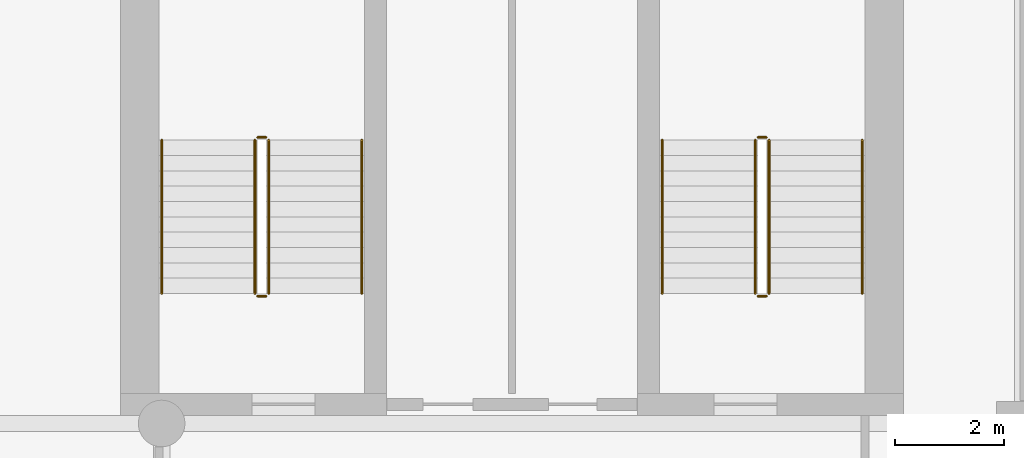
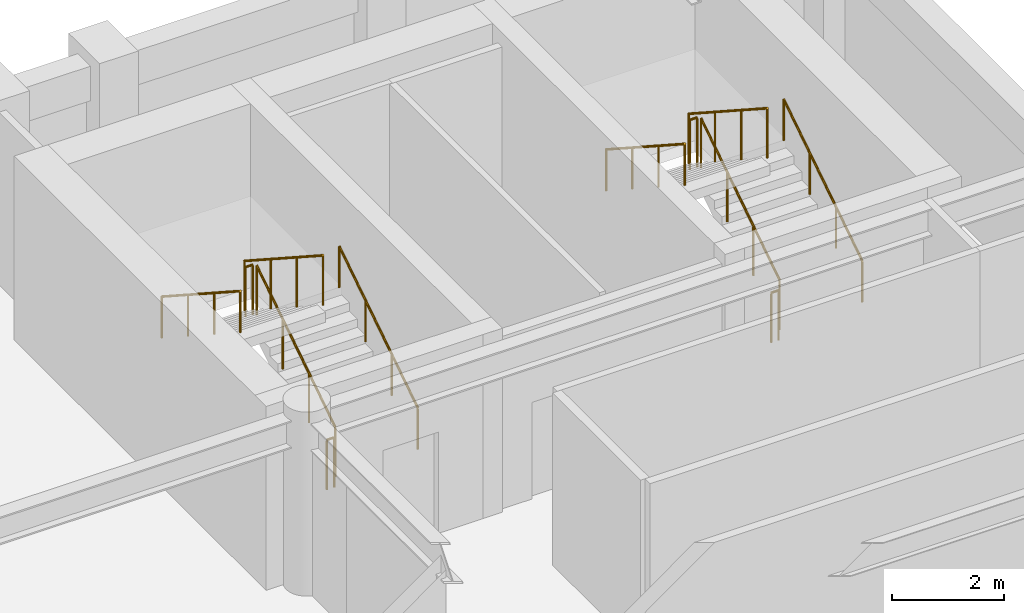
# One storey, part 10 of 10: 12 railings.
"""IFC4 building model written with IfcOpenShell, lengths in metres."""

import ifcopenshell
import ifcopenshell.guid

model = None  # the IFC model being written
_history = None  # IfcOwnerHistory: only IFC2X3 demands one
_inside = {}  # id of a spatial element -> (the spatial element, [elements in it])
_under = {}  # id of a project, library or spatial element -> (it, [spatial elements below it])
_declared = {}  # id of a project -> (the project, [libraries it declares])
_typed = {}  # id of a type object -> (the type object, [elements of that type])
_made_of = {}  # id of a material, layer set ... -> (it, [elements and type objects made of it])


def new_model(schema):
    """Start an empty IFC model of exactly this schema.

    Asked for "IFC4X3", IfcOpenShell would pick the latest addendum, in which some entities
    have other attributes; the version numbers below select the first issue.
    IFC2X3 requires an IfcOwnerHistory on every rooted entity: one is made here for all.
    """
    global model, _history
    if schema == "IFC4X3":
        model = ifcopenshell.file(schema_version=(4, 3, 0, 0))
    else:
        model = ifcopenshell.file(schema=schema)
    _inside.clear()
    _under.clear()
    _declared.clear()
    _typed.clear()
    _made_of.clear()
    _history = None
    if model.schema == "IFC2X3":
        org = make("IfcOrganization", Name="unknown")
        user = make(
            "IfcPersonAndOrganization",
            ThePerson=make("IfcPerson", FamilyName="unknown"),
            TheOrganization=org,
        )
        app = make(
            "IfcApplication",
            ApplicationDeveloper=org,
            Version="unknown",
            ApplicationFullName="unknown",
            ApplicationIdentifier="unknown",
        )
        _history = make(
            "IfcOwnerHistory",
            OwningUser=user,
            OwningApplication=app,
            ChangeAction="ADDED",
            CreationDate=0,
        )
    return model


def make(cls, **values):
    """One entity of the class cls with the attributes given. An attribute that is None is left unset."""
    return model.create_entity(
        cls, **{name: value for name, value in values.items() if value is not None}
    )


def rooted(cls, **values):
    """An entity with a GlobalId (a new one), such as an element, a storey or a relation."""
    return make(cls, GlobalId=ifcopenshell.guid.new(), OwnerHistory=_history, **values)


def si_unit(unit_type, name, prefix=None):
    """IfcSIUnit, for example si_unit("LENGTHUNIT", "METRE", prefix="MILLI")."""
    return make("IfcSIUnit", UnitType=unit_type, Prefix=prefix, Name=name)


def assignment(units):
    """IfcUnitAssignment: the units of a project."""
    return None if units is None else make("IfcUnitAssignment", Units=units)


def point(xyz):
    """IfcCartesianPoint."""
    return None if xyz is None else make("IfcCartesianPoint", Coordinates=xyz)


def direction(xyz):
    """IfcDirection."""
    return None if xyz is None else make("IfcDirection", DirectionRatios=xyz)


def frame(location, z_axis=None, x_axis=None):
    """IfcAxis2Placement3D, a coordinate frame: its origin and axes. An axis left out is left unset."""
    return make(
        "IfcAxis2Placement3D",
        Location=point(location),
        Axis=direction(z_axis),
        RefDirection=direction(x_axis),
    )


def frame_2d(location, x_axis=None):
    """IfcAxis2Placement2D, a coordinate frame in the plane: its origin and x axis."""
    return make(
        "IfcAxis2Placement2D", Location=point(location), RefDirection=direction(x_axis)
    )


def origin():
    """The frame at (0, 0, 0) with its axes left unset."""
    return frame((0.0, 0.0, 0.0))


def origin_2d():
    """The frame at (0, 0) in the plane with its x axis left unset."""
    return frame_2d((0.0, 0.0))


def place(relative_to, where):
    """IfcLocalPlacement: puts the frame where relative to a parent placement (None: the world)."""
    return make(
        "IfcLocalPlacement", PlacementRelTo=relative_to, RelativePlacement=where
    )


def context(
    kind, dimensions, precision=None, world=None, true_north=None, identifier=None
):
    """IfcGeometricRepresentationContext, for example the 3D "Model" context."""
    return make(
        "IfcGeometricRepresentationContext",
        ContextIdentifier=identifier,
        ContextType=kind,
        CoordinateSpaceDimension=dimensions,
        Precision=precision,
        WorldCoordinateSystem=world,
        TrueNorth=true_north,
    )


def subcontext(parent, identifier, kind, view, scale=None):
    """IfcGeometricRepresentationSubContext, for example "Body" below "Model"."""
    return make(
        "IfcGeometricRepresentationSubContext",
        ContextIdentifier=identifier,
        ContextType=kind,
        ParentContext=parent,
        TargetScale=scale,
        TargetView=view,
    )


def project(units=None, contexts=None):
    """IfcProject with its units and contexts."""
    return rooted(
        "IfcProject",
        Name="project",
        RepresentationContexts=contexts,
        UnitsInContext=assignment(units),
    )


def spatial(cls, under=None, at=None, **own):
    """A site, building, storey or space (cls), placed at a placement, below another one or the project."""
    s = rooted(cls, ObjectPlacement=at, **own)
    if under is not None:
        _under.setdefault(under.id(), (under, []))[1].append(s)
    return s


def profile(cls, at=None, kind="AREA", **sizes):
    """A parametric profile (cls). Its sizes go by their IFC names, for example OverallWidth=200.0."""
    return make(cls, ProfileType=kind, Position=at, **sizes)


def circle(**sizes):
    """IfcCircleProfileDef."""
    return profile("IfcCircleProfileDef", **sizes)


def extrude(swept, where, along, depth):
    """IfcExtrudedAreaSolid: the profile swept, set in the frame where, extruded along a direction by depth."""
    return make(
        "IfcExtrudedAreaSolid",
        SweptArea=swept,
        Position=where,
        ExtrudedDirection=direction(along),
        Depth=depth,
    )


def shape(context_of_items, identifier, shape_type, items):
    """IfcShapeRepresentation: the items that make up one representation, for example the "Body"."""
    return make(
        "IfcShapeRepresentation",
        ContextOfItems=context_of_items,
        RepresentationIdentifier=identifier,
        RepresentationType=shape_type,
        Items=items,
    )


def material(Name=None, Category=None):
    """IfcMaterial."""
    return make("IfcMaterial", Name=Name, Category=Category)


def made_of(thing, what):
    """Note that an element or type object is made of a material, layer set ...; save() writes the relation."""
    if what is not None:
        _made_of.setdefault(what.id(), (what, []))[1].append(thing)
    return thing


def type_object(cls, material=None, **own):
    """A type object (cls), such as IfcWallType, which elements share."""
    return made_of(rooted(cls, **own), material)


def element(
    cls,
    number,
    at=None,
    inside=None,
    cuts=None,
    type_object=None,
    material=None,
    context=None,
    identifier="Body",
    shape_type=None,
    held_by="IfcProductDefinitionShape",
    body=None,
    shapes=None,
    **own,
):
    """One element of the class cls, such as IfcWall. Its Tag is "e" and its number.

    at: its placement. inside: the storey or other place that contains it. cuts: it is an
    opening in that element (IfcRelVoidsElement). A single representation is given by context,
    identifier, shape_type and body (its items); several are given by shapes. held_by: the class
    of the entity that holds the representations. save() writes the other relations.
    """
    e = rooted(cls, Tag="e%d" % number, ObjectPlacement=at, **own)
    if body is not None:
        shapes = [shape(context, identifier, shape_type, body)]
    if shapes is not None:
        e.Representation = make(held_by, Representations=shapes)
    if inside is not None:
        _inside.setdefault(inside.id(), (inside, []))[1].append(e)
    if cuts is not None:
        rooted(
            "IfcRelVoidsElement", RelatingBuildingElement=cuts, RelatedOpeningElement=e
        )
    if type_object is not None:
        _typed.setdefault(type_object.id(), (type_object, []))[1].append(e)
    return made_of(e, material)


def aggregate(whole, parts):
    """IfcRelAggregates: a whole, such as a stair, and the parts it consists of."""
    return rooted("IfcRelAggregates", RelatingObject=whole, RelatedObjects=parts)


def save(model, path):
    """Write the relations noted so far, then the file.

    IfcRelAggregates (storeys below a building ...), IfcRelContainedInSpatialStructure (elements
    in a storey), IfcRelDefinesByType, IfcRelAssociatesMaterial and IfcRelDeclares: one each for
    every whole, place, type object, material and project.
    """
    for whole, parts in _under.values():
        aggregate(whole, parts)
    for where, things in _inside.values():
        rooted(
            "IfcRelContainedInSpatialStructure",
            RelatedElements=things,
            RelatingStructure=where,
        )
    for kind, things in _typed.values():
        rooted("IfcRelDefinesByType", RelatedObjects=things, RelatingType=kind)
    for what, things in _made_of.values():
        rooted("IfcRelAssociatesMaterial", RelatedObjects=things, RelatingMaterial=what)
    for by, libraries in _declared.values():
        rooted("IfcRelDeclares", RelatingContext=by, RelatedDefinitions=libraries)
    model.write(path)


model = new_model("IFC4")

# Units and contexts
model_context = context("Model", 3, precision=1e-05, world=origin(), true_north=direction((0.0, 1.0)))
body_context = subcontext(model_context, "Body", "Model", "MODEL_VIEW")
ifc_project = project(units=[si_unit("LENGTHUNIT", "METRE"), si_unit("AREAUNIT", "SQUARE_METRE"), si_unit("VOLUMEUNIT", "CUBIC_METRE"), si_unit("PLANEANGLEUNIT", "RADIAN"), si_unit("MASSUNIT", "GRAM", prefix="KILO")], contexts=[model_context])

# Site, building, storey
site_placement = place(None, origin())
site = spatial("IfcSite", under=ifc_project, at=site_placement, CompositionType="ELEMENT")
building_placement = place(site_placement, origin())
building = spatial("IfcBuilding", under=site, at=building_placement, Name="Sulina Concourse Tower", CompositionType="ELEMENT")
storey_placement = place(building_placement, frame((0.0, 0.0, 206.60009765625)))
storey = spatial("IfcBuildingStorey", under=building, at=storey_placement, Name="L50", CompositionType="ELEMENT", Elevation=206.60009765625)

# Railings
ifc_material_1 = material(Name="Galvanised steel railing", Category="steel")
railing_type_1 = type_object("IfcRailingType", Name="Core Stair Steel Guardrail 1150mm", PredefinedType="GUARDRAIL", material=ifc_material_1)
railing_1_placement = place(storey_placement, frame((43.554931640625, 36.375, 0.181640625)))
element("IfcRailing", 1, at=railing_1_placement, inside=storey, type_object=railing_type_1, Name="L50 ST-3 stair guard 1", PredefinedType="GUARDRAIL", context=body_context, shape_type="SweptSolid", body=[
    extrude(circle(Radius=0.02392578125, at=origin_2d()), frame((0.0, 0.0, 1.076171875), z_axis=(0.0, 0.838672427954, 0.544636170843), x_axis=(-1.0, 0.0, 0.0)), (0.0, 0.0, 1.0), 3.338623046875),
    extrude(circle(Radius=0.02099609375, at=origin_2d()), origin(), (0.0, 0.0, 1.0), 1.052001953125),
    extrude(circle(Radius=0.02099609375, at=origin_2d()), frame((0.0, 0.933349609375, 0.606201171875)), (0.0, 0.0, 1.0), 1.052001953125),
    extrude(circle(Radius=0.02099609375, at=origin_2d()), frame((0.0, 1.86669921875, 1.212158203125)), (0.0, 0.0, 1.0), 1.052001953125),
    extrude(circle(Radius=0.02099609375, at=origin_2d()), frame((0.0, 2.800048828125, 1.818359375)), (0.0, 0.0, 1.0), 1.052001953125),
])
railing_2_placement = place(storey_placement, frame((43.5048828125, 39.22509765625, 2.0)))
element("IfcRailing", 2, at=railing_2_placement, inside=storey, type_object=railing_type_1, Name="L50 ST-3 stair guard 2", PredefinedType="GUARDRAIL", context=body_context, shape_type="SweptSolid", body=[
    extrude(circle(Radius=0.02392578125, at=origin_2d()), frame((0.0, 0.0, 1.076171875), z_axis=(-1.0, 0.0, 0.0), x_axis=(0.0, -1.0, 0.0)), (0.0, 0.0, 1.0), 0.14990234375),
    extrude(circle(Radius=0.02099609375, at=origin_2d()), origin(), (0.0, 0.0, 1.0), 1.052001953125),
    extrude(circle(Radius=0.02099609375, at=origin_2d()), frame((-0.14990234375, 0.0, 0.0)), (0.0, 0.0, 1.0), 1.052001953125),
])
railing_3_placement = place(storey_placement, frame((43.304931640625, 39.175048828125, 2.181640625)))
element("IfcRailing", 3, at=railing_3_placement, inside=storey, type_object=railing_type_1, Name="L50 ST-3 stair guard 3", PredefinedType="GUARDRAIL", context=body_context, shape_type="SweptSolid", body=[
    extrude(circle(Radius=0.02392578125, at=origin_2d()), frame((0.0, 0.0, 1.076171875), z_axis=(0.0, -0.838672427954, 0.544636170843), x_axis=(1.0, 0.0, 0.0)), (0.0, 0.0, 1.0), 3.338623046875),
    extrude(circle(Radius=0.02099609375, at=origin_2d()), origin(), (0.0, 0.0, 1.0), 1.052001953125),
    extrude(circle(Radius=0.02099609375, at=origin_2d()), frame((0.0, -0.933349609375, 0.606201171875)), (0.0, 0.0, 1.0), 1.052001953125),
    extrude(circle(Radius=0.02099609375, at=origin_2d()), frame((0.0, -1.86669921875, 1.212158203125)), (0.0, 0.0, 1.0), 1.052001953125),
    extrude(circle(Radius=0.02099609375, at=origin_2d()), frame((0.0, -2.800048828125, 1.818359375)), (0.0, 0.0, 1.0), 1.052001953125),
])
railing_4_placement = place(storey_placement, frame((43.5048828125, 36.324951171875, 0.0)))
element("IfcRailing", 4, at=railing_4_placement, inside=storey, type_object=railing_type_1, Name="L50 ST-3 stair guard 4", PredefinedType="GUARDRAIL", context=body_context, shape_type="SweptSolid", body=[
    extrude(circle(Radius=0.02392578125, at=origin_2d()), frame((0.0, 0.0, 1.076171875), z_axis=(-1.0, 0.0, 0.0), x_axis=(0.0, -1.0, 0.0)), (0.0, 0.0, 1.0), 0.14990234375),
    extrude(circle(Radius=0.02099609375, at=origin_2d()), origin(), (0.0, 0.0, 1.0), 1.052001953125),
    extrude(circle(Radius=0.02099609375, at=origin_2d()), frame((-0.14990234375, 0.0, 0.0)), (0.0, 0.0, 1.0), 1.052001953125),
])
railing_5_placement = place(storey_placement, frame((52.695068359375, 36.375, 0.181640625)))
element("IfcRailing", 5, at=railing_5_placement, inside=storey, type_object=railing_type_1, Name="L50 ST-4 stair guard 1", PredefinedType="GUARDRAIL", context=body_context, shape_type="SweptSolid", body=[
    extrude(circle(Radius=0.02392578125, at=origin_2d()), frame((0.0, 0.0, 1.076171875), z_axis=(0.0, 0.838672427954, 0.544636170843), x_axis=(-1.0, 0.0, 0.0)), (0.0, 0.0, 1.0), 3.338623046875),
    extrude(circle(Radius=0.02099609375, at=origin_2d()), origin(), (0.0, 0.0, 1.0), 1.052001953125),
    extrude(circle(Radius=0.02099609375, at=origin_2d()), frame((0.0, 0.933349609375, 0.606201171875)), (0.0, 0.0, 1.0), 1.052001953125),
    extrude(circle(Radius=0.02099609375, at=origin_2d()), frame((0.0, 1.86669921875, 1.212158203125)), (0.0, 0.0, 1.0), 1.052001953125),
    extrude(circle(Radius=0.02099609375, at=origin_2d()), frame((0.0, 2.800048828125, 1.818359375)), (0.0, 0.0, 1.0), 1.052001953125),
])
railing_6_placement = place(storey_placement, frame((52.64501953125, 39.22509765625, 2.0)))
element("IfcRailing", 6, at=railing_6_placement, inside=storey, type_object=railing_type_1, Name="L50 ST-4 stair guard 2", PredefinedType="GUARDRAIL", context=body_context, shape_type="SweptSolid", body=[
    extrude(circle(Radius=0.02392578125, at=origin_2d()), frame((0.0, 0.0, 1.076171875), z_axis=(-1.0, 0.0, 0.0), x_axis=(0.0, -1.0, 0.0)), (0.0, 0.0, 1.0), 0.14990234375),
    extrude(circle(Radius=0.02099609375, at=origin_2d()), origin(), (0.0, 0.0, 1.0), 1.052001953125),
    extrude(circle(Radius=0.02099609375, at=origin_2d()), frame((-0.14990234375, 0.0, 0.0)), (0.0, 0.0, 1.0), 1.052001953125),
])
railing_7_placement = place(storey_placement, frame((52.445068359375, 39.175048828125, 2.181640625)))
element("IfcRailing", 7, at=railing_7_placement, inside=storey, type_object=railing_type_1, Name="L50 ST-4 stair guard 3", PredefinedType="GUARDRAIL", context=body_context, shape_type="SweptSolid", body=[
    extrude(circle(Radius=0.02392578125, at=origin_2d()), frame((0.0, 0.0, 1.076171875), z_axis=(0.0, -0.838672427954, 0.544636170843), x_axis=(1.0, 0.0, 0.0)), (0.0, 0.0, 1.0), 3.338623046875),
    extrude(circle(Radius=0.02099609375, at=origin_2d()), origin(), (0.0, 0.0, 1.0), 1.052001953125),
    extrude(circle(Radius=0.02099609375, at=origin_2d()), frame((0.0, -0.933349609375, 0.606201171875)), (0.0, 0.0, 1.0), 1.052001953125),
    extrude(circle(Radius=0.02099609375, at=origin_2d()), frame((0.0, -1.86669921875, 1.212158203125)), (0.0, 0.0, 1.0), 1.052001953125),
    extrude(circle(Radius=0.02099609375, at=origin_2d()), frame((0.0, -2.800048828125, 1.818359375)), (0.0, 0.0, 1.0), 1.052001953125),
])
railing_8_placement = place(storey_placement, frame((52.64501953125, 36.324951171875, 0.0)))
element("IfcRailing", 8, at=railing_8_placement, inside=storey, type_object=railing_type_1, Name="L50 ST-4 stair guard 4", PredefinedType="GUARDRAIL", context=body_context, shape_type="SweptSolid", body=[
    extrude(circle(Radius=0.02392578125, at=origin_2d()), frame((0.0, 0.0, 1.076171875), z_axis=(-1.0, 0.0, 0.0), x_axis=(0.0, -1.0, 0.0)), (0.0, 0.0, 1.0), 0.14990234375),
    extrude(circle(Radius=0.02099609375, at=origin_2d()), origin(), (0.0, 0.0, 1.0), 1.052001953125),
    extrude(circle(Radius=0.02099609375, at=origin_2d()), frame((-0.14990234375, 0.0, 0.0)), (0.0, 0.0, 1.0), 1.052001953125),
])
ifc_material_2 = material(Name="Galvanised steel railing", Category="steel")
railing_type_2 = type_object("IfcRailingType", Name="Stair Wall Steel Handrail 920mm", PredefinedType="HANDRAIL", material=ifc_material_2)
railing_9_placement = place(storey_placement, frame((45.2548828125, 36.375, 0.181640625)))
element("IfcRailing", 9, at=railing_9_placement, inside=storey, type_object=railing_type_2, Name="L50 ST-3 stair handrail 1", PredefinedType="HANDRAIL", context=body_context, shape_type="SweptSolid", body=[
    extrude(circle(Radius=0.02392578125, at=origin_2d()), frame((0.0, 0.0, 0.89599609375), z_axis=(0.0, 0.838672427954, 0.544636170843), x_axis=(-1.0, 0.0, 0.0)), (0.0, 0.0, 1.0), 3.338623046875),
    extrude(circle(Radius=0.02099609375, at=origin_2d()), origin(), (0.0, 0.0, 1.0), 0.871826171875),
    extrude(circle(Radius=0.02099609375, at=origin_2d()), frame((0.0, 0.933349609375, 0.606201171875)), (0.0, 0.0, 1.0), 0.871826171875),
    extrude(circle(Radius=0.02099609375, at=origin_2d()), frame((0.0, 1.86669921875, 1.212158203125)), (0.0, 0.0, 1.0), 0.871826171875),
    extrude(circle(Radius=0.02099609375, at=origin_2d()), frame((0.0, 2.800048828125, 1.818359375)), (0.0, 0.0, 1.0), 0.871826171875),
])
railing_10_placement = place(storey_placement, frame((41.60498046875, 39.175048828125, 2.181640625)))
element("IfcRailing", 10, at=railing_10_placement, inside=storey, type_object=railing_type_2, Name="L50 ST-3 stair handrail 2", PredefinedType="HANDRAIL", context=body_context, shape_type="SweptSolid", body=[
    extrude(circle(Radius=0.02392578125, at=origin_2d()), frame((0.0, 0.0, 0.89599609375), z_axis=(0.0, -0.838672427954, 0.544636170843), x_axis=(1.0, 0.0, 0.0)), (0.0, 0.0, 1.0), 3.338623046875),
    extrude(circle(Radius=0.02099609375, at=origin_2d()), origin(), (0.0, 0.0, 1.0), 0.871826171875),
    extrude(circle(Radius=0.02099609375, at=origin_2d()), frame((0.0, -0.933349609375, 0.606201171875)), (0.0, 0.0, 1.0), 0.871826171875),
    extrude(circle(Radius=0.02099609375, at=origin_2d()), frame((0.0, -1.86669921875, 1.212158203125)), (0.0, 0.0, 1.0), 0.871826171875),
    extrude(circle(Radius=0.02099609375, at=origin_2d()), frame((0.0, -2.800048828125, 1.818359375)), (0.0, 0.0, 1.0), 0.871826171875),
])
railing_11_placement = place(storey_placement, frame((54.39501953125, 36.375, 0.181640625)))
element("IfcRailing", 11, at=railing_11_placement, inside=storey, type_object=railing_type_2, Name="L50 ST-4 stair handrail 1", PredefinedType="HANDRAIL", context=body_context, shape_type="SweptSolid", body=[
    extrude(circle(Radius=0.02392578125, at=origin_2d()), frame((0.0, 0.0, 0.89599609375), z_axis=(0.0, 0.838672427954, 0.544636170843), x_axis=(-1.0, 0.0, 0.0)), (0.0, 0.0, 1.0), 3.338623046875),
    extrude(circle(Radius=0.02099609375, at=origin_2d()), origin(), (0.0, 0.0, 1.0), 0.871826171875),
    extrude(circle(Radius=0.02099609375, at=origin_2d()), frame((0.0, 0.933349609375, 0.606201171875)), (0.0, 0.0, 1.0), 0.871826171875),
    extrude(circle(Radius=0.02099609375, at=origin_2d()), frame((0.0, 1.86669921875, 1.212158203125)), (0.0, 0.0, 1.0), 0.871826171875),
    extrude(circle(Radius=0.02099609375, at=origin_2d()), frame((0.0, 2.800048828125, 1.818359375)), (0.0, 0.0, 1.0), 0.871826171875),
])
railing_12_placement = place(storey_placement, frame((50.7451171875, 39.175048828125, 2.181640625)))
element("IfcRailing", 12, at=railing_12_placement, inside=storey, type_object=railing_type_2, Name="L50 ST-4 stair handrail 2", PredefinedType="HANDRAIL", context=body_context, shape_type="SweptSolid", body=[
    extrude(circle(Radius=0.02392578125, at=origin_2d()), frame((0.0, 0.0, 0.89599609375), z_axis=(0.0, -0.838672427954, 0.544636170843), x_axis=(1.0, 0.0, 0.0)), (0.0, 0.0, 1.0), 3.338623046875),
    extrude(circle(Radius=0.02099609375, at=origin_2d()), origin(), (0.0, 0.0, 1.0), 0.871826171875),
    extrude(circle(Radius=0.02099609375, at=origin_2d()), frame((0.0, -0.933349609375, 0.606201171875)), (0.0, 0.0, 1.0), 0.871826171875),
    extrude(circle(Radius=0.02099609375, at=origin_2d()), frame((0.0, -1.86669921875, 1.212158203125)), (0.0, 0.0, 1.0), 0.871826171875),
    extrude(circle(Radius=0.02099609375, at=origin_2d()), frame((0.0, -2.800048828125, 1.818359375)), (0.0, 0.0, 1.0), 0.871826171875),
])

save(model, "model.ifc")
